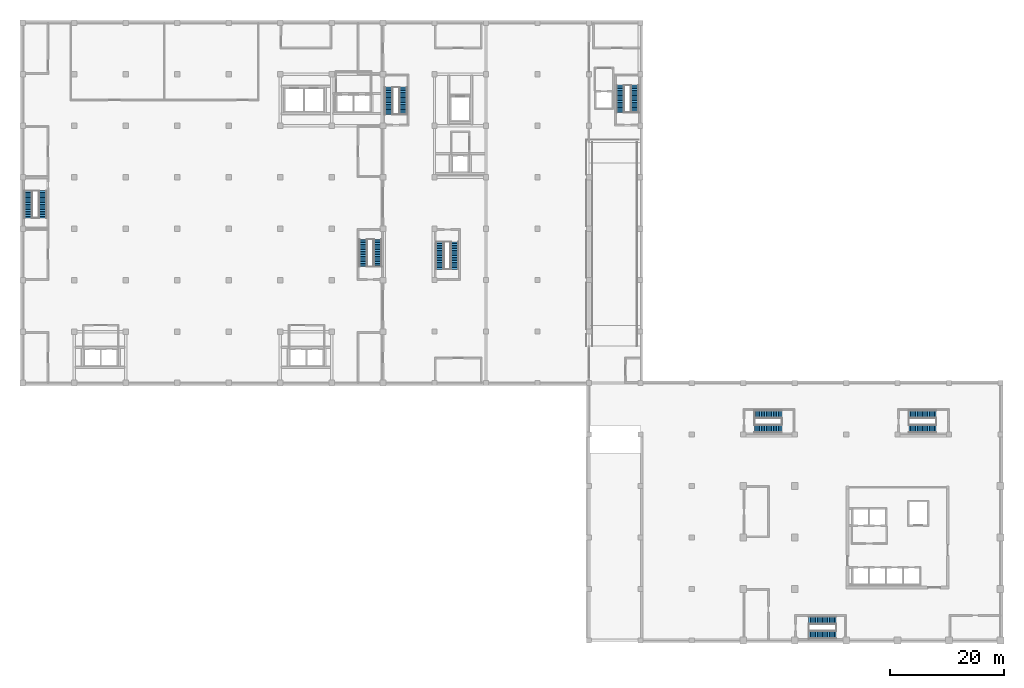
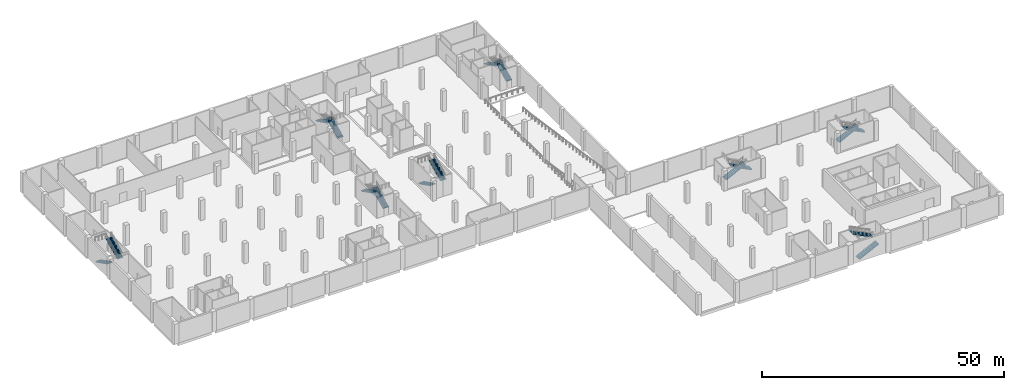
# One storey, part 13 of 16: 16 stair flights, 8 elements without a shape of their own.
"""IFC4 building model written with IfcOpenShell, lengths in metres."""

import ifcopenshell
import ifcopenshell.guid

model = None  # the IFC model being written
_history = None  # IfcOwnerHistory: only IFC2X3 demands one
_inside = {}  # id of a spatial element -> (the spatial element, [elements in it])
_under = {}  # id of a project, library or spatial element -> (it, [spatial elements below it])
_declared = {}  # id of a project -> (the project, [libraries it declares])
_typed = {}  # id of a type object -> (the type object, [elements of that type])
_made_of = {}  # id of a material, layer set ... -> (it, [elements and type objects made of it])


def new_model(schema):
    """Start an empty IFC model of exactly this schema.

    Asked for "IFC4X3", IfcOpenShell would pick the latest addendum, in which some entities
    have other attributes; the version numbers below select the first issue.
    IFC2X3 requires an IfcOwnerHistory on every rooted entity: one is made here for all.
    """
    global model, _history
    if schema == "IFC4X3":
        model = ifcopenshell.file(schema_version=(4, 3, 0, 0))
    else:
        model = ifcopenshell.file(schema=schema)
    _inside.clear()
    _under.clear()
    _declared.clear()
    _typed.clear()
    _made_of.clear()
    _history = None
    if model.schema == "IFC2X3":
        org = make("IfcOrganization", Name="unknown")
        user = make(
            "IfcPersonAndOrganization",
            ThePerson=make("IfcPerson", FamilyName="unknown"),
            TheOrganization=org,
        )
        app = make(
            "IfcApplication",
            ApplicationDeveloper=org,
            Version="unknown",
            ApplicationFullName="unknown",
            ApplicationIdentifier="unknown",
        )
        _history = make(
            "IfcOwnerHistory",
            OwningUser=user,
            OwningApplication=app,
            ChangeAction="ADDED",
            CreationDate=0,
        )
    return model


def make(cls, **values):
    """One entity of the class cls with the attributes given. An attribute that is None is left unset."""
    return model.create_entity(
        cls, **{name: value for name, value in values.items() if value is not None}
    )


def rooted(cls, **values):
    """An entity with a GlobalId (a new one), such as an element, a storey or a relation."""
    return make(cls, GlobalId=ifcopenshell.guid.new(), OwnerHistory=_history, **values)


def si_unit(unit_type, name, prefix=None):
    """IfcSIUnit, for example si_unit("LENGTHUNIT", "METRE", prefix="MILLI")."""
    return make("IfcSIUnit", UnitType=unit_type, Prefix=prefix, Name=name)


def assignment(units):
    """IfcUnitAssignment: the units of a project."""
    return None if units is None else make("IfcUnitAssignment", Units=units)


def point(xyz):
    """IfcCartesianPoint."""
    return None if xyz is None else make("IfcCartesianPoint", Coordinates=xyz)


def direction(xyz):
    """IfcDirection."""
    return None if xyz is None else make("IfcDirection", DirectionRatios=xyz)


def frame(location, z_axis=None, x_axis=None):
    """IfcAxis2Placement3D, a coordinate frame: its origin and axes. An axis left out is left unset."""
    return make(
        "IfcAxis2Placement3D",
        Location=point(location),
        Axis=direction(z_axis),
        RefDirection=direction(x_axis),
    )


def origin():
    """The frame at (0, 0, 0) with its axes left unset."""
    return frame((0.0, 0.0, 0.0))


def place(relative_to, where):
    """IfcLocalPlacement: puts the frame where relative to a parent placement (None: the world)."""
    return make(
        "IfcLocalPlacement", PlacementRelTo=relative_to, RelativePlacement=where
    )


def context(
    kind, dimensions, precision=None, world=None, true_north=None, identifier=None
):
    """IfcGeometricRepresentationContext, for example the 3D "Model" context."""
    return make(
        "IfcGeometricRepresentationContext",
        ContextIdentifier=identifier,
        ContextType=kind,
        CoordinateSpaceDimension=dimensions,
        Precision=precision,
        WorldCoordinateSystem=world,
        TrueNorth=true_north,
    )


def subcontext(parent, identifier, kind, view, scale=None):
    """IfcGeometricRepresentationSubContext, for example "Body" below "Model"."""
    return make(
        "IfcGeometricRepresentationSubContext",
        ContextIdentifier=identifier,
        ContextType=kind,
        ParentContext=parent,
        TargetScale=scale,
        TargetView=view,
    )


def project(units=None, contexts=None):
    """IfcProject with its units and contexts."""
    return rooted(
        "IfcProject",
        Name="project",
        RepresentationContexts=contexts,
        UnitsInContext=assignment(units),
    )


def spatial(cls, under=None, at=None, **own):
    """A site, building, storey or space (cls), placed at a placement, below another one or the project."""
    s = rooted(cls, ObjectPlacement=at, **own)
    if under is not None:
        _under.setdefault(under.id(), (under, []))[1].append(s)
    return s


def polyline(points):
    """IfcPolyline through the points."""
    return make("IfcPolyline", Points=[point(p) for p in points])


def outline(outer, holes=None, kind="AREA"):
    """IfcArbitraryClosedProfileDef: a profile drawn as a closed curve; with holes, ...WithVoids."""
    if holes is None:
        return make("IfcArbitraryClosedProfileDef", ProfileType=kind, OuterCurve=outer)
    return make(
        "IfcArbitraryProfileDefWithVoids",
        ProfileType=kind,
        OuterCurve=outer,
        InnerCurves=holes,
    )


def extrude(swept, where, along, depth):
    """IfcExtrudedAreaSolid: the profile swept, set in the frame where, extruded along a direction by depth."""
    return make(
        "IfcExtrudedAreaSolid",
        SweptArea=swept,
        Position=where,
        ExtrudedDirection=direction(along),
        Depth=depth,
    )


def shape(context_of_items, identifier, shape_type, items):
    """IfcShapeRepresentation: the items that make up one representation, for example the "Body"."""
    return make(
        "IfcShapeRepresentation",
        ContextOfItems=context_of_items,
        RepresentationIdentifier=identifier,
        RepresentationType=shape_type,
        Items=items,
    )


def material(Name=None, Category=None):
    """IfcMaterial."""
    return make("IfcMaterial", Name=Name, Category=Category)


def made_of(thing, what):
    """Note that an element or type object is made of a material, layer set ...; save() writes the relation."""
    if what is not None:
        _made_of.setdefault(what.id(), (what, []))[1].append(thing)
    return thing


def type_object(cls, material=None, **own):
    """A type object (cls), such as IfcWallType, which elements share."""
    return made_of(rooted(cls, **own), material)


def element(
    cls,
    number,
    at=None,
    inside=None,
    cuts=None,
    type_object=None,
    material=None,
    context=None,
    identifier="Body",
    shape_type=None,
    held_by="IfcProductDefinitionShape",
    body=None,
    shapes=None,
    **own,
):
    """One element of the class cls, such as IfcWall. Its Tag is "e" and its number.

    at: its placement. inside: the storey or other place that contains it. cuts: it is an
    opening in that element (IfcRelVoidsElement). A single representation is given by context,
    identifier, shape_type and body (its items); several are given by shapes. held_by: the class
    of the entity that holds the representations. save() writes the other relations.
    """
    e = rooted(cls, Tag="e%d" % number, ObjectPlacement=at, **own)
    if body is not None:
        shapes = [shape(context, identifier, shape_type, body)]
    if shapes is not None:
        e.Representation = make(held_by, Representations=shapes)
    if inside is not None:
        _inside.setdefault(inside.id(), (inside, []))[1].append(e)
    if cuts is not None:
        rooted(
            "IfcRelVoidsElement", RelatingBuildingElement=cuts, RelatedOpeningElement=e
        )
    if type_object is not None:
        _typed.setdefault(type_object.id(), (type_object, []))[1].append(e)
    return made_of(e, material)


def aggregate(whole, parts):
    """IfcRelAggregates: a whole, such as a stair, and the parts it consists of."""
    return rooted("IfcRelAggregates", RelatingObject=whole, RelatedObjects=parts)


def save(model, path):
    """Write the relations noted so far, then the file.

    IfcRelAggregates (storeys below a building ...), IfcRelContainedInSpatialStructure (elements
    in a storey), IfcRelDefinesByType, IfcRelAssociatesMaterial and IfcRelDeclares: one each for
    every whole, place, type object, material and project.
    """
    for whole, parts in _under.values():
        aggregate(whole, parts)
    for where, things in _inside.values():
        rooted(
            "IfcRelContainedInSpatialStructure",
            RelatedElements=things,
            RelatingStructure=where,
        )
    for kind, things in _typed.values():
        rooted("IfcRelDefinesByType", RelatedObjects=things, RelatingType=kind)
    for what, things in _made_of.values():
        rooted("IfcRelAssociatesMaterial", RelatedObjects=things, RelatingMaterial=what)
    for by, libraries in _declared.values():
        rooted("IfcRelDeclares", RelatingContext=by, RelatedDefinitions=libraries)
    model.write(path)


model = new_model("IFC4")

# Units and contexts
model_context = context("Model", 3, precision=1e-05, world=origin(), true_north=direction((0.0, 1.0)))
body_context = subcontext(model_context, "Body", "Model", "MODEL_VIEW")
ifc_project = project(units=[si_unit("LENGTHUNIT", "METRE"), si_unit("AREAUNIT", "SQUARE_METRE"), si_unit("VOLUMEUNIT", "CUBIC_METRE"), si_unit("PLANEANGLEUNIT", "RADIAN"), si_unit("MASSUNIT", "GRAM", prefix="KILO")], contexts=[model_context])

# Site, building, storey
site_placement = place(None, origin())
site = spatial("IfcSite", under=ifc_project, at=site_placement, CompositionType="ELEMENT")
building_placement = place(site_placement, origin())
building = spatial("IfcBuilding", under=site, at=building_placement, Name="Guidao Yard Department Store", CompositionType="ELEMENT")
storey_placement = place(building_placement, frame((0.0, 0.0, -5.10009765625)))
storey = spatial("IfcBuildingStorey", under=building, at=storey_placement, Name="B1", CompositionType="ELEMENT", Elevation=-5.10009765625)

# Stair, stair flights
ifc_material_1 = material(Name="Concrete C35", Category="concrete")
stair_type = type_object("IfcStairType", Name="Stair half-turn two-flight 1400 wide 5.1 m rise", PredefinedType="HALF_TURN_STAIR", material=ifc_material_1)
stair_1_placement = place(storey_placement, origin())
stair_1 = element("IfcStair", 1, at=stair_1_placement, inside=storey, type_object=stair_type, Name="Basement stair G1 B1 to L00", PredefinedType="HALF_TURN_STAIR")
ifc_material_2 = material(Name="Concrete C35", Category="concrete")
stair_flight_type = type_object("IfcStairFlightType", Name="Stair flight RC straight 1400 wide 17 risers x 300 going C35", PredefinedType="STRAIGHT", material=ifc_material_2)
stair_flight_1_placement = place(storey_placement, frame((72.949951171875, 69.699951171875, 0.0), z_axis=(0.0, 0.0, 1.0), x_axis=(0.0, -1.0, 0.0)))
stair_flight_1 = element("IfcStairFlight", 2, at=stair_flight_1_placement, type_object=stair_flight_type, Name="BSG1-B1 flight 1", NumberOfRisers=17, NumberOfTreads=16, PredefinedType="STRAIGHT", RiserHeight=0.15, TreadLength=0.3, context=body_context, shape_type="SweptSolid", body=[
    extrude(outline(polyline([(0.0, 0.0), (0.0, 0.14990234375), (0.300048828125, 0.14990234375), (0.300048828125, 0.300048828125), (0.60009765625, 0.300048828125), (0.60009765625, 0.449951171875), (0.89990234375, 0.449951171875), (0.89990234375, 0.60009765625), (1.199951171875, 0.60009765625), (1.199951171875, 0.75), (1.5, 0.75), (1.5, 0.89990234375), (1.800048828125, 0.89990234375), (1.800048828125, 1.050048828125), (2.10009765625, 1.050048828125), (2.10009765625, 1.199951171875), (2.39990234375, 1.199951171875), (2.39990234375, 1.35009765625), (2.699951171875, 1.35009765625), (2.699951171875, 1.5), (3.0, 1.5), (3.0, 1.64990234375), (3.300048828125, 1.64990234375), (3.300048828125, 1.800048828125), (3.60009765625, 1.800048828125), (3.60009765625, 1.949951171875), (3.89990234375, 1.949951171875), (3.89990234375, 2.10009765625), (4.199951171875, 2.10009765625), (4.199951171875, 2.25), (4.5, 2.25), (4.5, 2.39990234375), (4.800048828125, 2.39990234375), (4.800048828125, 2.550048828125), (4.800048828125, 2.232421875), (0.335205078125, 0.0), (0.0, 0.0)])), frame((0.0, 0.699951171875, 0.0), z_axis=(0.0, -1.0, 0.0), x_axis=(1.0, 0.0, 0.0)), (0.0, 0.0, 1.0), 1.39990234375),
])
stair_flight_2_placement = place(storey_placement, frame((75.5, 64.89990234375, 2.550048828125), z_axis=(0.0, 0.0, 1.0), x_axis=(0.0, 1.0, 0.0)))
stair_flight_2 = element("IfcStairFlight", 3, at=stair_flight_2_placement, type_object=stair_flight_type, Name="BSG1-B1 flight 2", NumberOfRisers=17, NumberOfTreads=16, PredefinedType="STRAIGHT", RiserHeight=0.15, TreadLength=0.3, context=body_context, shape_type="SweptSolid", body=[
    extrude(outline(polyline([(0.0, 0.0), (0.0, 0.14990234375), (0.300048828125, 0.14990234375), (0.300048828125, 0.300048828125), (0.60009765625, 0.300048828125), (0.60009765625, 0.449951171875), (0.89990234375, 0.449951171875), (0.89990234375, 0.60009765625), (1.199951171875, 0.60009765625), (1.199951171875, 0.75), (1.5, 0.75), (1.5, 0.89990234375), (1.800048828125, 0.89990234375), (1.800048828125, 1.050048828125), (2.10009765625, 1.050048828125), (2.10009765625, 1.199951171875), (2.39990234375, 1.199951171875), (2.39990234375, 1.35009765625), (2.699951171875, 1.35009765625), (2.699951171875, 1.5), (3.0, 1.5), (3.0, 1.64990234375), (3.300048828125, 1.64990234375), (3.300048828125, 1.800048828125), (3.60009765625, 1.800048828125), (3.60009765625, 1.949951171875), (3.89990234375, 1.949951171875), (3.89990234375, 2.10009765625), (4.199951171875, 2.10009765625), (4.199951171875, 2.25), (4.5, 2.25), (4.5, 2.39990234375), (4.800048828125, 2.39990234375), (4.800048828125, 2.550048828125), (4.800048828125, 2.232421875), (0.335205078125, 0.0), (0.0, 0.0)])), frame((0.0, 0.699951171875, 0.0), z_axis=(0.0, -1.0, 0.0), x_axis=(1.0, 0.0, 0.0)), (0.0, 0.0, 1.0), 1.39990234375),
])
aggregate(stair_1, [stair_flight_1, stair_flight_2])

stair_2_placement = place(storey_placement, origin())
stair_2 = element("IfcStair", 4, at=stair_2_placement, inside=storey, type_object=stair_type, Name="Basement stair G2 B1 to L00", PredefinedType="HALF_TURN_STAIR")
stair_flight_3_placement = place(storey_placement, frame((107.050048828125, 92.300048828125, 0.0), z_axis=(0.0, 0.0, 1.0), x_axis=(0.0, 1.0, 0.0)))
stair_flight_3 = element("IfcStairFlight", 5, at=stair_flight_3_placement, type_object=stair_flight_type, Name="BSG2-B1 flight 1", NumberOfRisers=17, NumberOfTreads=16, PredefinedType="STRAIGHT", RiserHeight=0.15, TreadLength=0.3, context=body_context, shape_type="SweptSolid", body=[
    extrude(outline(polyline([(0.0, 0.0), (0.0, 0.14990234375), (0.300048828125, 0.14990234375), (0.300048828125, 0.300048828125), (0.60009765625, 0.300048828125), (0.60009765625, 0.449951171875), (0.89990234375, 0.449951171875), (0.89990234375, 0.60009765625), (1.199951171875, 0.60009765625), (1.199951171875, 0.75), (1.5, 0.75), (1.5, 0.89990234375), (1.800048828125, 0.89990234375), (1.800048828125, 1.050048828125), (2.10009765625, 1.050048828125), (2.10009765625, 1.199951171875), (2.39990234375, 1.199951171875), (2.39990234375, 1.35009765625), (2.699951171875, 1.35009765625), (2.699951171875, 1.5), (3.0, 1.5), (3.0, 1.64990234375), (3.300048828125, 1.64990234375), (3.300048828125, 1.800048828125), (3.60009765625, 1.800048828125), (3.60009765625, 1.949951171875), (3.89990234375, 1.949951171875), (3.89990234375, 2.10009765625), (4.199951171875, 2.10009765625), (4.199951171875, 2.25), (4.5, 2.25), (4.5, 2.39990234375), (4.800048828125, 2.39990234375), (4.800048828125, 2.550048828125), (4.800048828125, 2.232421875), (0.335205078125, 0.0), (0.0, 0.0)])), frame((0.0, 0.699951171875, 0.0), z_axis=(0.0, -1.0, 0.0), x_axis=(1.0, 0.0, 0.0)), (0.0, 0.0, 1.0), 1.39990234375),
])
stair_flight_4_placement = place(storey_placement, frame((104.5, 97.10009765625, 2.550048828125), z_axis=(0.0, 0.0, 1.0), x_axis=(0.0, -1.0, 0.0)))
stair_flight_4 = element("IfcStairFlight", 6, at=stair_flight_4_placement, type_object=stair_flight_type, Name="BSG2-B1 flight 2", NumberOfRisers=17, NumberOfTreads=16, PredefinedType="STRAIGHT", RiserHeight=0.15, TreadLength=0.3, context=body_context, shape_type="SweptSolid", body=[
    extrude(outline(polyline([(0.0, 0.0), (0.0, 0.14990234375), (0.300048828125, 0.14990234375), (0.300048828125, 0.300048828125), (0.60009765625, 0.300048828125), (0.60009765625, 0.449951171875), (0.89990234375, 0.449951171875), (0.89990234375, 0.60009765625), (1.199951171875, 0.60009765625), (1.199951171875, 0.75), (1.5, 0.75), (1.5, 0.89990234375), (1.800048828125, 0.89990234375), (1.800048828125, 1.050048828125), (2.10009765625, 1.050048828125), (2.10009765625, 1.199951171875), (2.39990234375, 1.199951171875), (2.39990234375, 1.35009765625), (2.699951171875, 1.35009765625), (2.699951171875, 1.5), (3.0, 1.5), (3.0, 1.64990234375), (3.300048828125, 1.64990234375), (3.300048828125, 1.800048828125), (3.60009765625, 1.800048828125), (3.60009765625, 1.949951171875), (3.89990234375, 1.949951171875), (3.89990234375, 2.10009765625), (4.199951171875, 2.10009765625), (4.199951171875, 2.25), (4.5, 2.25), (4.5, 2.39990234375), (4.800048828125, 2.39990234375), (4.800048828125, 2.550048828125), (4.800048828125, 2.232421875), (0.335205078125, 0.0), (0.0, 0.0)])), frame((0.0, 0.699951171875, 0.0), z_axis=(0.0, -1.0, 0.0), x_axis=(1.0, 0.0, 0.0)), (0.0, 0.0, 1.0), 1.39990234375),
])
aggregate(stair_2, [stair_flight_3, stair_flight_4])

stair_3_placement = place(storey_placement, origin())
stair_3 = element("IfcStair", 7, at=stair_3_placement, inside=storey, type_object=stair_type, Name="Basement stair H1 B1 to L00", PredefinedType="HALF_TURN_STAIR")
stair_flight_5_placement = place(storey_placement, frame((0.949951171875, 78.64990234375, 0.0), z_axis=(0.0, 0.0, 1.0), x_axis=(0.0, -1.0, 0.0)))
stair_flight_5 = element("IfcStairFlight", 8, at=stair_flight_5_placement, type_object=stair_flight_type, Name="BSH1-B1 flight 1", NumberOfRisers=17, NumberOfTreads=16, PredefinedType="STRAIGHT", RiserHeight=0.15, TreadLength=0.3, context=body_context, shape_type="SweptSolid", body=[
    extrude(outline(polyline([(0.0, 0.0), (0.0, 0.14990234375), (0.300048828125, 0.14990234375), (0.300048828125, 0.300048828125), (0.60009765625, 0.300048828125), (0.60009765625, 0.449951171875), (0.89990234375, 0.449951171875), (0.89990234375, 0.60009765625), (1.199951171875, 0.60009765625), (1.199951171875, 0.75), (1.5, 0.75), (1.5, 0.89990234375), (1.800048828125, 0.89990234375), (1.800048828125, 1.050048828125), (2.10009765625, 1.050048828125), (2.10009765625, 1.199951171875), (2.39990234375, 1.199951171875), (2.39990234375, 1.35009765625), (2.699951171875, 1.35009765625), (2.699951171875, 1.5), (3.0, 1.5), (3.0, 1.64990234375), (3.300048828125, 1.64990234375), (3.300048828125, 1.800048828125), (3.60009765625, 1.800048828125), (3.60009765625, 1.949951171875), (3.89990234375, 1.949951171875), (3.89990234375, 2.10009765625), (4.199951171875, 2.10009765625), (4.199951171875, 2.25), (4.5, 2.25), (4.5, 2.39990234375), (4.800048828125, 2.39990234375), (4.800048828125, 2.550048828125), (4.800048828125, 2.232421875), (0.335205078125, 0.0), (0.0, 0.0)])), frame((0.0, 0.699951171875, 0.0), z_axis=(0.0, -1.0, 0.0), x_axis=(1.0, 0.0, 0.0)), (0.0, 0.0, 1.0), 1.39990234375),
])
stair_flight_6_placement = place(storey_placement, frame((3.5, 73.85009765625, 2.550048828125), z_axis=(0.0, 0.0, 1.0), x_axis=(0.0, 1.0, 0.0)))
stair_flight_6 = element("IfcStairFlight", 9, at=stair_flight_6_placement, type_object=stair_flight_type, Name="BSH1-B1 flight 2", NumberOfRisers=17, NumberOfTreads=16, PredefinedType="STRAIGHT", RiserHeight=0.15, TreadLength=0.3, context=body_context, shape_type="SweptSolid", body=[
    extrude(outline(polyline([(0.0, 0.0), (0.0, 0.14990234375), (0.300048828125, 0.14990234375), (0.300048828125, 0.300048828125), (0.60009765625, 0.300048828125), (0.60009765625, 0.449951171875), (0.89990234375, 0.449951171875), (0.89990234375, 0.60009765625), (1.199951171875, 0.60009765625), (1.199951171875, 0.75), (1.5, 0.75), (1.5, 0.89990234375), (1.800048828125, 0.89990234375), (1.800048828125, 1.050048828125), (2.10009765625, 1.050048828125), (2.10009765625, 1.199951171875), (2.39990234375, 1.199951171875), (2.39990234375, 1.35009765625), (2.699951171875, 1.35009765625), (2.699951171875, 1.5), (3.0, 1.5), (3.0, 1.64990234375), (3.300048828125, 1.64990234375), (3.300048828125, 1.800048828125), (3.60009765625, 1.800048828125), (3.60009765625, 1.949951171875), (3.89990234375, 1.949951171875), (3.89990234375, 2.10009765625), (4.199951171875, 2.10009765625), (4.199951171875, 2.25), (4.5, 2.25), (4.5, 2.39990234375), (4.800048828125, 2.39990234375), (4.800048828125, 2.550048828125), (4.800048828125, 2.232421875), (0.335205078125, 0.0), (0.0, 0.0)])), frame((0.0, 0.699951171875, 0.0), z_axis=(0.0, -1.0, 0.0), x_axis=(1.0, 0.0, 0.0)), (0.0, 0.0, 1.0), 1.39990234375),
])
aggregate(stair_3, [stair_flight_5, stair_flight_6])

stair_4_placement = place(storey_placement, origin())
stair_4 = element("IfcStair", 10, at=stair_4_placement, inside=storey, type_object=stair_type, Name="Basement stair H2 B1 to L00", PredefinedType="HALF_TURN_STAIR")
stair_flight_7_placement = place(storey_placement, frame((66.550048828125, 91.949951171875, 0.0), z_axis=(0.0, 0.0, 1.0), x_axis=(0.0, 1.0, 0.0)))
stair_flight_7 = element("IfcStairFlight", 11, at=stair_flight_7_placement, type_object=stair_flight_type, Name="BSH2-B1 flight 1", NumberOfRisers=17, NumberOfTreads=16, PredefinedType="STRAIGHT", RiserHeight=0.15, TreadLength=0.3, context=body_context, shape_type="SweptSolid", body=[
    extrude(outline(polyline([(0.0, 0.0), (0.0, 0.14990234375), (0.300048828125, 0.14990234375), (0.300048828125, 0.300048828125), (0.60009765625, 0.300048828125), (0.60009765625, 0.449951171875), (0.89990234375, 0.449951171875), (0.89990234375, 0.60009765625), (1.199951171875, 0.60009765625), (1.199951171875, 0.75), (1.5, 0.75), (1.5, 0.89990234375), (1.800048828125, 0.89990234375), (1.800048828125, 1.050048828125), (2.10009765625, 1.050048828125), (2.10009765625, 1.199951171875), (2.39990234375, 1.199951171875), (2.39990234375, 1.35009765625), (2.699951171875, 1.35009765625), (2.699951171875, 1.5), (3.0, 1.5), (3.0, 1.64990234375), (3.300048828125, 1.64990234375), (3.300048828125, 1.800048828125), (3.60009765625, 1.800048828125), (3.60009765625, 1.949951171875), (3.89990234375, 1.949951171875), (3.89990234375, 2.10009765625), (4.199951171875, 2.10009765625), (4.199951171875, 2.25), (4.5, 2.25), (4.5, 2.39990234375), (4.800048828125, 2.39990234375), (4.800048828125, 2.550048828125), (4.800048828125, 2.232421875), (0.335205078125, 0.0), (0.0, 0.0)])), frame((0.0, 0.699951171875, 0.0), z_axis=(0.0, -1.0, 0.0), x_axis=(1.0, 0.0, 0.0)), (0.0, 0.0, 1.0), 1.39990234375),
])
stair_flight_8_placement = place(storey_placement, frame((64.0, 96.75, 2.550048828125), z_axis=(0.0, 0.0, 1.0), x_axis=(0.0, -1.0, 0.0)))
stair_flight_8 = element("IfcStairFlight", 12, at=stair_flight_8_placement, type_object=stair_flight_type, Name="BSH2-B1 flight 2", NumberOfRisers=17, NumberOfTreads=16, PredefinedType="STRAIGHT", RiserHeight=0.15, TreadLength=0.3, context=body_context, shape_type="SweptSolid", body=[
    extrude(outline(polyline([(0.0, 0.0), (0.0, 0.14990234375), (0.300048828125, 0.14990234375), (0.300048828125, 0.300048828125), (0.60009765625, 0.300048828125), (0.60009765625, 0.449951171875), (0.89990234375, 0.449951171875), (0.89990234375, 0.60009765625), (1.199951171875, 0.60009765625), (1.199951171875, 0.75), (1.5, 0.75), (1.5, 0.89990234375), (1.800048828125, 0.89990234375), (1.800048828125, 1.050048828125), (2.10009765625, 1.050048828125), (2.10009765625, 1.199951171875), (2.39990234375, 1.199951171875), (2.39990234375, 1.35009765625), (2.699951171875, 1.35009765625), (2.699951171875, 1.5), (3.0, 1.5), (3.0, 1.64990234375), (3.300048828125, 1.64990234375), (3.300048828125, 1.800048828125), (3.60009765625, 1.800048828125), (3.60009765625, 1.949951171875), (3.89990234375, 1.949951171875), (3.89990234375, 2.10009765625), (4.199951171875, 2.10009765625), (4.199951171875, 2.25), (4.5, 2.25), (4.5, 2.39990234375), (4.800048828125, 2.39990234375), (4.800048828125, 2.550048828125), (4.800048828125, 2.232421875), (0.335205078125, 0.0), (0.0, 0.0)])), frame((0.0, 0.699951171875, 0.0), z_axis=(0.0, -1.0, 0.0), x_axis=(1.0, 0.0, 0.0)), (0.0, 0.0, 1.0), 1.39990234375),
])
aggregate(stair_4, [stair_flight_7, stair_flight_8])

stair_5_placement = place(storey_placement, origin())
stair_5 = element("IfcStair", 13, at=stair_5_placement, inside=storey, type_object=stair_type, Name="Basement stair H3 B1 to L00", PredefinedType="HALF_TURN_STAIR")
stair_flight_9_placement = place(storey_placement, frame((62.050048828125, 65.35009765625, 0.0), z_axis=(0.0, 0.0, 1.0), x_axis=(0.0, 1.0, 0.0)))
stair_flight_9 = element("IfcStairFlight", 14, at=stair_flight_9_placement, type_object=stair_flight_type, Name="BSH3-B1 flight 1", NumberOfRisers=17, NumberOfTreads=16, PredefinedType="STRAIGHT", RiserHeight=0.15, TreadLength=0.3, context=body_context, shape_type="SweptSolid", body=[
    extrude(outline(polyline([(0.0, 0.0), (0.0, 0.14990234375), (0.300048828125, 0.14990234375), (0.300048828125, 0.300048828125), (0.60009765625, 0.300048828125), (0.60009765625, 0.449951171875), (0.89990234375, 0.449951171875), (0.89990234375, 0.60009765625), (1.199951171875, 0.60009765625), (1.199951171875, 0.75), (1.5, 0.75), (1.5, 0.89990234375), (1.800048828125, 0.89990234375), (1.800048828125, 1.050048828125), (2.10009765625, 1.050048828125), (2.10009765625, 1.199951171875), (2.39990234375, 1.199951171875), (2.39990234375, 1.35009765625), (2.699951171875, 1.35009765625), (2.699951171875, 1.5), (3.0, 1.5), (3.0, 1.64990234375), (3.300048828125, 1.64990234375), (3.300048828125, 1.800048828125), (3.60009765625, 1.800048828125), (3.60009765625, 1.949951171875), (3.89990234375, 1.949951171875), (3.89990234375, 2.10009765625), (4.199951171875, 2.10009765625), (4.199951171875, 2.25), (4.5, 2.25), (4.5, 2.39990234375), (4.800048828125, 2.39990234375), (4.800048828125, 2.550048828125), (4.800048828125, 2.232421875), (0.335205078125, 0.0), (0.0, 0.0)])), frame((0.0, 0.699951171875, 0.0), z_axis=(0.0, -1.0, 0.0), x_axis=(1.0, 0.0, 0.0)), (0.0, 0.0, 1.0), 1.39990234375),
])
stair_flight_10_placement = place(storey_placement, frame((59.5, 70.14990234375, 2.550048828125), z_axis=(0.0, 0.0, 1.0), x_axis=(0.0, -1.0, 0.0)))
stair_flight_10 = element("IfcStairFlight", 15, at=stair_flight_10_placement, type_object=stair_flight_type, Name="BSH3-B1 flight 2", NumberOfRisers=17, NumberOfTreads=16, PredefinedType="STRAIGHT", RiserHeight=0.15, TreadLength=0.3, context=body_context, shape_type="SweptSolid", body=[
    extrude(outline(polyline([(0.0, 0.0), (0.0, 0.14990234375), (0.300048828125, 0.14990234375), (0.300048828125, 0.300048828125), (0.60009765625, 0.300048828125), (0.60009765625, 0.449951171875), (0.89990234375, 0.449951171875), (0.89990234375, 0.60009765625), (1.199951171875, 0.60009765625), (1.199951171875, 0.75), (1.5, 0.75), (1.5, 0.89990234375), (1.800048828125, 0.89990234375), (1.800048828125, 1.050048828125), (2.10009765625, 1.050048828125), (2.10009765625, 1.199951171875), (2.39990234375, 1.199951171875), (2.39990234375, 1.35009765625), (2.699951171875, 1.35009765625), (2.699951171875, 1.5), (3.0, 1.5), (3.0, 1.64990234375), (3.300048828125, 1.64990234375), (3.300048828125, 1.800048828125), (3.60009765625, 1.800048828125), (3.60009765625, 1.949951171875), (3.89990234375, 1.949951171875), (3.89990234375, 2.10009765625), (4.199951171875, 2.10009765625), (4.199951171875, 2.25), (4.5, 2.25), (4.5, 2.39990234375), (4.800048828125, 2.39990234375), (4.800048828125, 2.550048828125), (4.800048828125, 2.232421875), (0.335205078125, 0.0), (0.0, 0.0)])), frame((0.0, 0.699951171875, 0.0), z_axis=(0.0, -1.0, 0.0), x_axis=(1.0, 0.0, 0.0)), (0.0, 0.0, 1.0), 1.39990234375),
])
aggregate(stair_5, [stair_flight_9, stair_flight_10])

stair_6_placement = place(storey_placement, origin())
stair_6 = element("IfcStair", 16, at=stair_6_placement, inside=storey, type_object=stair_type, Name="Basement stair O1 B1 to L00", PredefinedType="HALF_TURN_STAIR")
stair_flight_11_placement = place(storey_placement, frame((137.449951171875, 0.949951171875, 0.0), z_axis=(0.0, 0.0, 1.0), x_axis=(1.0, 0.0, 0.0)))
stair_flight_11 = element("IfcStairFlight", 17, at=stair_flight_11_placement, type_object=stair_flight_type, Name="BSO1-B1 flight 1", NumberOfRisers=17, NumberOfTreads=16, PredefinedType="STRAIGHT", RiserHeight=0.15, TreadLength=0.3, context=body_context, shape_type="SweptSolid", body=[
    extrude(outline(polyline([(0.0, 0.0), (0.0, 0.14990234375), (0.300048828125, 0.14990234375), (0.300048828125, 0.300048828125), (0.60009765625, 0.300048828125), (0.60009765625, 0.449951171875), (0.89990234375, 0.449951171875), (0.89990234375, 0.60009765625), (1.199951171875, 0.60009765625), (1.199951171875, 0.75), (1.5, 0.75), (1.5, 0.89990234375), (1.800048828125, 0.89990234375), (1.800048828125, 1.050048828125), (2.10009765625, 1.050048828125), (2.10009765625, 1.199951171875), (2.39990234375, 1.199951171875), (2.39990234375, 1.35009765625), (2.699951171875, 1.35009765625), (2.699951171875, 1.5), (3.0, 1.5), (3.0, 1.64990234375), (3.300048828125, 1.64990234375), (3.300048828125, 1.800048828125), (3.60009765625, 1.800048828125), (3.60009765625, 1.949951171875), (3.89990234375, 1.949951171875), (3.89990234375, 2.10009765625), (4.199951171875, 2.10009765625), (4.199951171875, 2.25), (4.5, 2.25), (4.5, 2.39990234375), (4.800048828125, 2.39990234375), (4.800048828125, 2.550048828125), (4.800048828125, 2.232421875), (0.335205078125, 0.0), (0.0, 0.0)])), frame((0.0, 0.699951171875, 0.0), z_axis=(0.0, -1.0, 0.0), x_axis=(1.0, 0.0, 0.0)), (0.0, 0.0, 1.0), 1.39990234375),
])
stair_flight_12_placement = place(storey_placement, frame((142.25, 3.5, 2.550048828125), z_axis=(0.0, 0.0, 1.0), x_axis=(-1.0, 0.0, 0.0)))
stair_flight_12 = element("IfcStairFlight", 18, at=stair_flight_12_placement, type_object=stair_flight_type, Name="BSO1-B1 flight 2", NumberOfRisers=17, NumberOfTreads=16, PredefinedType="STRAIGHT", RiserHeight=0.15, TreadLength=0.3, context=body_context, shape_type="SweptSolid", body=[
    extrude(outline(polyline([(0.0, 0.0), (0.0, 0.14990234375), (0.300048828125, 0.14990234375), (0.300048828125, 0.300048828125), (0.60009765625, 0.300048828125), (0.60009765625, 0.449951171875), (0.89990234375, 0.449951171875), (0.89990234375, 0.60009765625), (1.199951171875, 0.60009765625), (1.199951171875, 0.75), (1.5, 0.75), (1.5, 0.89990234375), (1.800048828125, 0.89990234375), (1.800048828125, 1.050048828125), (2.10009765625, 1.050048828125), (2.10009765625, 1.199951171875), (2.39990234375, 1.199951171875), (2.39990234375, 1.35009765625), (2.699951171875, 1.35009765625), (2.699951171875, 1.5), (3.0, 1.5), (3.0, 1.64990234375), (3.300048828125, 1.64990234375), (3.300048828125, 1.800048828125), (3.60009765625, 1.800048828125), (3.60009765625, 1.949951171875), (3.89990234375, 1.949951171875), (3.89990234375, 2.10009765625), (4.199951171875, 2.10009765625), (4.199951171875, 2.25), (4.5, 2.25), (4.5, 2.39990234375), (4.800048828125, 2.39990234375), (4.800048828125, 2.550048828125), (4.800048828125, 2.232421875), (0.335205078125, 0.0), (0.0, 0.0)])), frame((0.0, 0.699951171875, 0.0), z_axis=(0.0, -1.0, 0.0), x_axis=(1.0, 0.0, 0.0)), (0.0, 0.0, 1.0), 1.39990234375),
])
aggregate(stair_6, [stair_flight_11, stair_flight_12])

stair_7_placement = place(storey_placement, origin())
stair_7 = element("IfcStair", 19, at=stair_7_placement, inside=storey, type_object=stair_type, Name="Basement stair Y1 B1 to L00", PredefinedType="HALF_TURN_STAIR")
stair_flight_13_placement = place(storey_placement, frame((127.949951171875, 39.550048828125, 0.0), z_axis=(0.0, 0.0, 1.0), x_axis=(1.0, 0.0, 0.0)))
stair_flight_13 = element("IfcStairFlight", 20, at=stair_flight_13_placement, type_object=stair_flight_type, Name="BSY1-B1 flight 1", NumberOfRisers=17, NumberOfTreads=16, PredefinedType="STRAIGHT", RiserHeight=0.15, TreadLength=0.3, context=body_context, shape_type="SweptSolid", body=[
    extrude(outline(polyline([(0.0, 0.0), (0.0, 0.14990234375), (0.300048828125, 0.14990234375), (0.300048828125, 0.300048828125), (0.60009765625, 0.300048828125), (0.60009765625, 0.449951171875), (0.89990234375, 0.449951171875), (0.89990234375, 0.60009765625), (1.199951171875, 0.60009765625), (1.199951171875, 0.75), (1.5, 0.75), (1.5, 0.89990234375), (1.800048828125, 0.89990234375), (1.800048828125, 1.050048828125), (2.10009765625, 1.050048828125), (2.10009765625, 1.199951171875), (2.39990234375, 1.199951171875), (2.39990234375, 1.35009765625), (2.699951171875, 1.35009765625), (2.699951171875, 1.5), (3.0, 1.5), (3.0, 1.64990234375), (3.300048828125, 1.64990234375), (3.300048828125, 1.800048828125), (3.60009765625, 1.800048828125), (3.60009765625, 1.949951171875), (3.89990234375, 1.949951171875), (3.89990234375, 2.10009765625), (4.199951171875, 2.10009765625), (4.199951171875, 2.25), (4.5, 2.25), (4.5, 2.39990234375), (4.800048828125, 2.39990234375), (4.800048828125, 2.550048828125), (4.800048828125, 2.232421875), (0.335205078125, 0.0), (0.0, 0.0)])), frame((0.0, 0.699951171875, 0.0), z_axis=(0.0, -1.0, 0.0), x_axis=(1.0, 0.0, 0.0)), (0.0, 0.0, 1.0), 1.39990234375),
])
stair_flight_14_placement = place(storey_placement, frame((132.75, 37.0, 2.550048828125), z_axis=(0.0, 0.0, 1.0), x_axis=(-1.0, 0.0, 0.0)))
stair_flight_14 = element("IfcStairFlight", 21, at=stair_flight_14_placement, type_object=stair_flight_type, Name="BSY1-B1 flight 2", NumberOfRisers=17, NumberOfTreads=16, PredefinedType="STRAIGHT", RiserHeight=0.15, TreadLength=0.3, context=body_context, shape_type="SweptSolid", body=[
    extrude(outline(polyline([(0.0, 0.0), (0.0, 0.14990234375), (0.300048828125, 0.14990234375), (0.300048828125, 0.300048828125), (0.60009765625, 0.300048828125), (0.60009765625, 0.449951171875), (0.89990234375, 0.449951171875), (0.89990234375, 0.60009765625), (1.199951171875, 0.60009765625), (1.199951171875, 0.75), (1.5, 0.75), (1.5, 0.89990234375), (1.800048828125, 0.89990234375), (1.800048828125, 1.050048828125), (2.10009765625, 1.050048828125), (2.10009765625, 1.199951171875), (2.39990234375, 1.199951171875), (2.39990234375, 1.35009765625), (2.699951171875, 1.35009765625), (2.699951171875, 1.5), (3.0, 1.5), (3.0, 1.64990234375), (3.300048828125, 1.64990234375), (3.300048828125, 1.800048828125), (3.60009765625, 1.800048828125), (3.60009765625, 1.949951171875), (3.89990234375, 1.949951171875), (3.89990234375, 2.10009765625), (4.199951171875, 2.10009765625), (4.199951171875, 2.25), (4.5, 2.25), (4.5, 2.39990234375), (4.800048828125, 2.39990234375), (4.800048828125, 2.550048828125), (4.800048828125, 2.232421875), (0.335205078125, 0.0), (0.0, 0.0)])), frame((0.0, 0.699951171875, 0.0), z_axis=(0.0, -1.0, 0.0), x_axis=(1.0, 0.0, 0.0)), (0.0, 0.0, 1.0), 1.39990234375),
])
aggregate(stair_7, [stair_flight_13, stair_flight_14])

stair_8_placement = place(storey_placement, origin())
stair_8 = element("IfcStair", 22, at=stair_8_placement, inside=storey, type_object=stair_type, Name="Basement stair Y2 B1 to L00", PredefinedType="HALF_TURN_STAIR")
stair_flight_15_placement = place(storey_placement, frame((154.949951171875, 39.550048828125, 0.0), z_axis=(0.0, 0.0, 1.0), x_axis=(1.0, 0.0, 0.0)))
stair_flight_15 = element("IfcStairFlight", 23, at=stair_flight_15_placement, type_object=stair_flight_type, Name="BSY2-B1 flight 1", NumberOfRisers=17, NumberOfTreads=16, PredefinedType="STRAIGHT", RiserHeight=0.15, TreadLength=0.3, context=body_context, shape_type="SweptSolid", body=[
    extrude(outline(polyline([(0.0, 0.0), (0.0, 0.14990234375), (0.300048828125, 0.14990234375), (0.300048828125, 0.300048828125), (0.60009765625, 0.300048828125), (0.60009765625, 0.449951171875), (0.89990234375, 0.449951171875), (0.89990234375, 0.60009765625), (1.199951171875, 0.60009765625), (1.199951171875, 0.75), (1.5, 0.75), (1.5, 0.89990234375), (1.800048828125, 0.89990234375), (1.800048828125, 1.050048828125), (2.10009765625, 1.050048828125), (2.10009765625, 1.199951171875), (2.39990234375, 1.199951171875), (2.39990234375, 1.35009765625), (2.699951171875, 1.35009765625), (2.699951171875, 1.5), (3.0, 1.5), (3.0, 1.64990234375), (3.300048828125, 1.64990234375), (3.300048828125, 1.800048828125), (3.60009765625, 1.800048828125), (3.60009765625, 1.949951171875), (3.89990234375, 1.949951171875), (3.89990234375, 2.10009765625), (4.199951171875, 2.10009765625), (4.199951171875, 2.25), (4.5, 2.25), (4.5, 2.39990234375), (4.800048828125, 2.39990234375), (4.800048828125, 2.550048828125), (4.800048828125, 2.232421875), (0.335205078125, 0.0), (0.0, 0.0)])), frame((0.0, 0.699951171875, 0.0), z_axis=(0.0, -1.0, 0.0), x_axis=(1.0, 0.0, 0.0)), (0.0, 0.0, 1.0), 1.39990234375),
])
stair_flight_16_placement = place(storey_placement, frame((159.75, 37.0, 2.550048828125), z_axis=(0.0, 0.0, 1.0), x_axis=(-1.0, 0.0, 0.0)))
stair_flight_16 = element("IfcStairFlight", 24, at=stair_flight_16_placement, type_object=stair_flight_type, Name="BSY2-B1 flight 2", NumberOfRisers=17, NumberOfTreads=16, PredefinedType="STRAIGHT", RiserHeight=0.15, TreadLength=0.3, context=body_context, shape_type="SweptSolid", body=[
    extrude(outline(polyline([(0.0, 0.0), (0.0, 0.14990234375), (0.300048828125, 0.14990234375), (0.300048828125, 0.300048828125), (0.60009765625, 0.300048828125), (0.60009765625, 0.449951171875), (0.89990234375, 0.449951171875), (0.89990234375, 0.60009765625), (1.199951171875, 0.60009765625), (1.199951171875, 0.75), (1.5, 0.75), (1.5, 0.89990234375), (1.800048828125, 0.89990234375), (1.800048828125, 1.050048828125), (2.10009765625, 1.050048828125), (2.10009765625, 1.199951171875), (2.39990234375, 1.199951171875), (2.39990234375, 1.35009765625), (2.699951171875, 1.35009765625), (2.699951171875, 1.5), (3.0, 1.5), (3.0, 1.64990234375), (3.300048828125, 1.64990234375), (3.300048828125, 1.800048828125), (3.60009765625, 1.800048828125), (3.60009765625, 1.949951171875), (3.89990234375, 1.949951171875), (3.89990234375, 2.10009765625), (4.199951171875, 2.10009765625), (4.199951171875, 2.25), (4.5, 2.25), (4.5, 2.39990234375), (4.800048828125, 2.39990234375), (4.800048828125, 2.550048828125), (4.800048828125, 2.232421875), (0.335205078125, 0.0), (0.0, 0.0)])), frame((0.0, 0.699951171875, 0.0), z_axis=(0.0, -1.0, 0.0), x_axis=(1.0, 0.0, 0.0)), (0.0, 0.0, 1.0), 1.39990234375),
])
aggregate(stair_8, [stair_flight_15, stair_flight_16])

save(model, "model.ifc")
